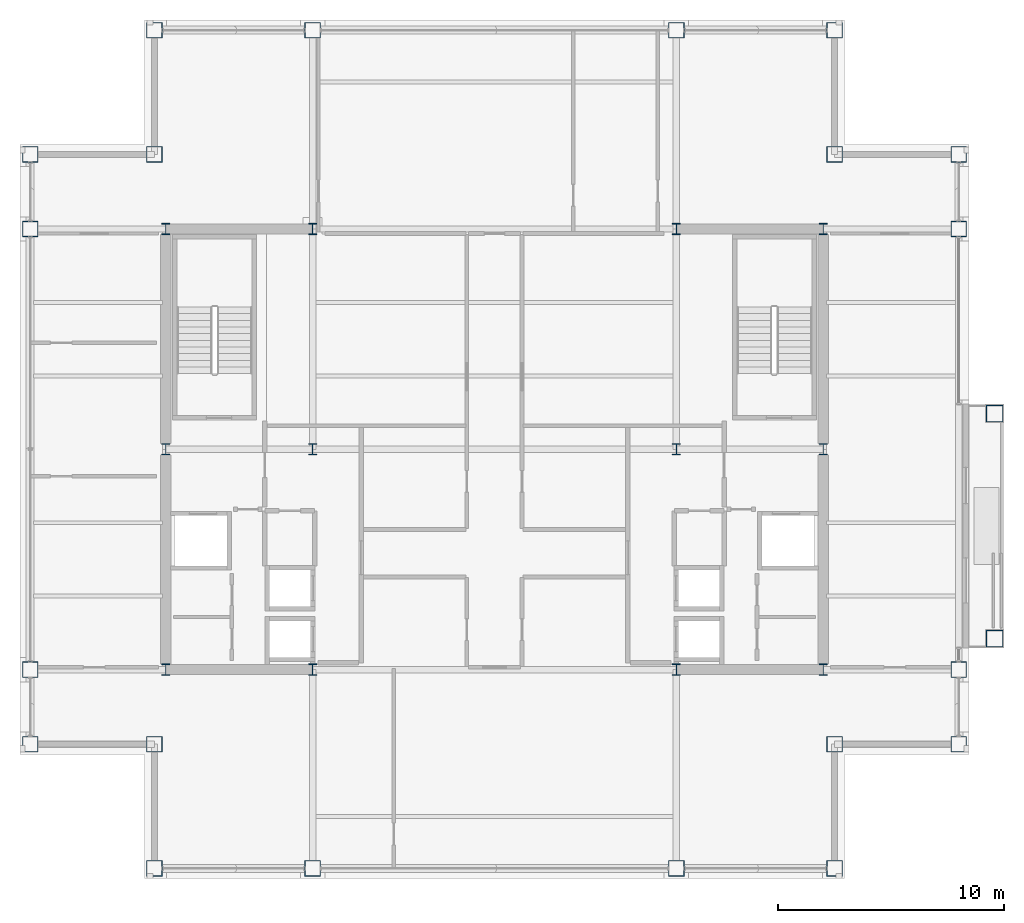
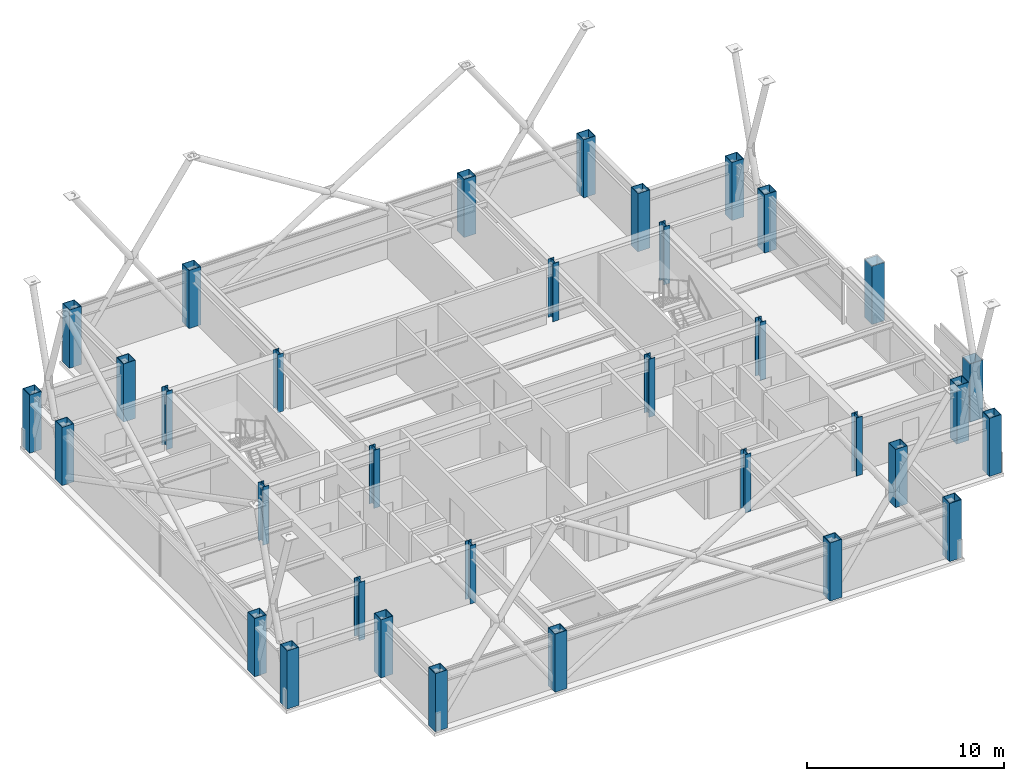
# One storey, part 1 of 33: 34 columns.
"""IFC4 building model written with IfcOpenShell, lengths in metres."""

from ifc_helpers import new_model, si_unit, direction, frame, origin, origin_2d, place, context, subcontext, project, spatial, hollow_rectangle, i_section, extrude, material, material_profile, profile_set, type_object, element, save


model = new_model("IFC4")

# Units and contexts
model_context = context("Model", 3, precision=1e-05, world=origin(), true_north=direction((0.0, 1.0)))
body_context = subcontext(model_context, "Body", "Model", "MODEL_VIEW")
ifc_project = project(units=[si_unit("LENGTHUNIT", "METRE"), si_unit("AREAUNIT", "SQUARE_METRE"), si_unit("VOLUMEUNIT", "CUBIC_METRE"), si_unit("PLANEANGLEUNIT", "RADIAN"), si_unit("MASSUNIT", "GRAM", prefix="KILO")], contexts=[model_context])

# Site, building, storey
site_placement = place(None, origin())
site = spatial("IfcSite", under=ifc_project, at=site_placement, CompositionType="ELEMENT")
building_placement = place(site_placement, origin())
building = spatial("IfcBuilding", under=site, at=building_placement, Name="Brelmoor Portico Tower", CompositionType="ELEMENT")
storey_placement = place(building_placement, frame((0.0, 0.0, 194.699951171875)))
storey = spatial("IfcBuildingStorey", under=building, at=storey_placement, Name="L51", CompositionType="ELEMENT", Elevation=194.699951171875)

# Columns
ifc_material = material(Name="Steel Q355B", Category="steel")
ifc_material_profile_1 = material_profile(ifc_material, hollow_rectangle(XDim=0.699951171875, YDim=0.699951171875, WallThickness=0.030029296875, at=origin_2d()), Name="BOX 700x700x30")
ifc_profile_set_1 = profile_set([ifc_material_profile_1], Name="Steel Q355B")
column_type_1 = type_object("IfcColumnType", Name="COL-MEGA-700", PredefinedType="COLUMN", material=ifc_profile_set_1)
for number, where, z_axis, x_axis, name in (
    (1, (-15.050048828125, -18.550048828125, 0.0), (0.0, 0.0, 1.0), (1.0, 0.0, 0.0), "L51 Perimeter Mega-Column PS01"),
    (2, (-8.050048828125, -18.550048828125, 0.0), (0.0, 0.0, 1.0), (1.0, 0.0, 0.0), "L51 Perimeter Mega-Column PS02"),
    (3, (8.050048828125, -18.550048828125, 0.0), (0.0, 0.0, 1.0), (1.0, 0.0, 0.0), "L51 Perimeter Mega-Column PS03"),
    (4, (15.050048828125, -18.550048828125, 0.0), (0.0, 0.0, 1.0), (1.0, 0.0, 0.0), "L51 Perimeter Mega-Column PS04"),
    (5, (-15.050048828125, 18.550048828125, 0.0), (0.0, 0.0, 1.0), (1.0, 0.0, 0.0), "L51 Perimeter Mega-Column PN01"),
    (6, (-8.050048828125, 18.550048828125, 0.0), (0.0, 0.0, 1.0), (1.0, 0.0, 0.0), "L51 Perimeter Mega-Column PN02"),
    (7, (8.050048828125, 18.550048828125, 0.0), (0.0, 0.0, 1.0), (1.0, 0.0, 0.0), "L51 Perimeter Mega-Column PN03"),
    (8, (15.050048828125, 18.550048828125, 0.0), (0.0, 0.0, 1.0), (1.0, 0.0, 0.0), "L51 Perimeter Mega-Column PN04"),
    (9, (-20.550048828125, -13.050048828125, 0.0), (0.0, 0.0, 1.0), (0.0, 1.0, 0.0), "L51 Perimeter Mega-Column PW01"),
    (10, (-20.550048828125, -9.75, 0.0), (0.0, 0.0, 1.0), (0.0, 1.0, 0.0), "L51 Perimeter Mega-Column PW02"),
    (11, (-20.550048828125, 9.75, 0.0), (0.0, 0.0, 1.0), (0.0, 1.0, 0.0), "L51 Perimeter Mega-Column PW03"),
    (12, (-20.550048828125, 13.050048828125, 0.0), (0.0, 0.0, 1.0), (0.0, 1.0, 0.0), "L51 Perimeter Mega-Column PW04"),
    (13, (20.550048828125, -13.050048828125, 0.0), (0.0, 0.0, 1.0), (0.0, 1.0, 0.0), "L51 Perimeter Mega-Column PE01"),
    (14, (20.550048828125, -9.75, 0.0), (0.0, 0.0, 1.0), (0.0, 1.0, 0.0), "L51 Perimeter Mega-Column PE02"),
    (15, (20.550048828125, 9.75, 0.0), (0.0, 0.0, 1.0), (0.0, 1.0, 0.0), "L51 Perimeter Mega-Column PE03"),
    (16, (20.550048828125, 13.050048828125, 0.0), (0.0, 0.0, 1.0), (0.0, 1.0, 0.0), "L51 Perimeter Mega-Column PE04"),
    (17, (-15.050048828125, 13.050048828125, 0.0), (0.0, 0.0, 1.0), (1.0, 0.0, 0.0), "L51 Perimeter Mega-Column PC-NW"),
    (18, (15.050048828125, 13.050048828125, 0.0), (0.0, 0.0, 1.0), (1.0, 0.0, 0.0), "L51 Perimeter Mega-Column PC-NE"),
    (19, (15.050048828125, -13.050048828125, 0.0), (0.0, 0.0, 1.0), (1.0, 0.0, 0.0), "L51 Perimeter Mega-Column PC-SE"),
    (20, (-15.050048828125, -13.050048828125, 0.0), (0.0, 0.0, 1.0), (1.0, 0.0, 0.0), "L51 Perimeter Mega-Column PC-SW"),
):
    element("IfcColumn", number, at=place(storey_placement, frame(where, z_axis=z_axis, x_axis=x_axis)), inside=storey, type_object=column_type_1, Name=name, PredefinedType="COLUMN", context=body_context, shape_type="SweptSolid", body=[
        extrude(hollow_rectangle(XDim=0.699951171875, YDim=0.699951171875, WallThickness=0.030029296875, at=origin_2d()), origin(), (0.0, 0.0, 1.0), 3.60009765625),
    ])
ifc_material_profile_2 = material_profile(ifc_material, hollow_rectangle(XDim=0.75, YDim=0.75, WallThickness=0.031982421875, at=origin_2d()), Name="BOX 750x750x32")
ifc_profile_set_2 = profile_set([ifc_material_profile_2], Name="Steel Q355B")
column_type_2 = type_object("IfcColumnType", Name="COL-MEGA-750", PredefinedType="COLUMN", material=ifc_profile_set_2)
for number, where, z_axis, x_axis, name in (
    (21, (22.1298828125, -8.3798828125, 0.0), (0.0, 0.0, 1.0), (0.0, 1.0, 0.0), "L51 Proud Picture-Frame Pier PFJ-E1"),
    (22, (22.1298828125, 1.580078125, 0.0), (0.0, 0.0, 1.0), (0.0, 1.0, 0.0), "L51 Proud Picture-Frame Pier PFJ-E2"),
):
    element("IfcColumn", number, at=place(storey_placement, frame(where, z_axis=z_axis, x_axis=x_axis)), inside=storey, type_object=column_type_2, Name=name, PredefinedType="COLUMN", context=body_context, shape_type="SweptSolid", body=[
        extrude(hollow_rectangle(XDim=0.75, YDim=0.75, WallThickness=0.031982421875, at=origin_2d()), origin(), (0.0, 0.0, 1.0), 3.60009765625),
    ])
ifc_material_profile_3 = material_profile(ifc_material, i_section(OverallWidth=0.35009765625, OverallDepth=0.5, WebThickness=0.02001953125, FlangeThickness=0.031982421875, at=origin_2d()), Name="HW 500x350x20x32")
ifc_profile_set_3 = profile_set([ifc_material_profile_3], Name="Steel Q355B")
column_type_3 = type_object("IfcColumnType", Name="COL-SPINE-500", PredefinedType="COLUMN", material=ifc_profile_set_3)
for number, where, z_axis, x_axis, name in (
    (23, (-14.550048828125, -9.75, 0.0), (0.0, 0.0, 1.0), (1.0, 0.0, 0.0), "L51 Core Spine Column CW-SW"),
    (24, (-14.550048828125, 0.0, 0.0), (0.0, 0.0, 1.0), (1.0, 0.0, 0.0), "L51 Core Spine Column CW-MW"),
    (25, (-14.550048828125, 9.75, 0.0), (0.0, 0.0, 1.0), (1.0, 0.0, 0.0), "L51 Core Spine Column CW-NW"),
    (26, (-8.050048828125, -9.75, 0.0), (0.0, 0.0, 1.0), (1.0, 0.0, 0.0), "L51 Core Spine Column CW-SE"),
    (27, (-8.050048828125, 0.0, 0.0), (0.0, 0.0, 1.0), (1.0, 0.0, 0.0), "L51 Core Spine Column CW-ME"),
    (28, (-8.050048828125, 9.75, 0.0), (0.0, 0.0, 1.0), (1.0, 0.0, 0.0), "L51 Core Spine Column CW-NE"),
    (29, (8.050048828125, -9.75, 0.0), (0.0, 0.0, 1.0), (1.0, 0.0, 0.0), "L51 Core Spine Column CE-SW"),
    (30, (8.050048828125, 0.0, 0.0), (0.0, 0.0, 1.0), (1.0, 0.0, 0.0), "L51 Core Spine Column CE-MW"),
    (31, (8.050048828125, 9.75, 0.0), (0.0, 0.0, 1.0), (1.0, 0.0, 0.0), "L51 Core Spine Column CE-NW"),
    (32, (14.550048828125, -9.75, 0.0), (0.0, 0.0, 1.0), (1.0, 0.0, 0.0), "L51 Core Spine Column CE-SE"),
    (33, (14.550048828125, 0.0, 0.0), (0.0, 0.0, 1.0), (1.0, 0.0, 0.0), "L51 Core Spine Column CE-ME"),
    (34, (14.550048828125, 9.75, 0.0), (0.0, 0.0, 1.0), (1.0, 0.0, 0.0), "L51 Core Spine Column CE-NE"),
):
    element("IfcColumn", number, at=place(storey_placement, frame(where, z_axis=z_axis, x_axis=x_axis)), inside=storey, type_object=column_type_3, Name=name, PredefinedType="COLUMN", context=body_context, shape_type="SweptSolid", body=[
        extrude(i_section(OverallWidth=0.35009765625, OverallDepth=0.5, WebThickness=0.02001953125, FlangeThickness=0.031982421875, at=origin_2d()), origin(), (0.0, 0.0, 1.0), 3.60009765625),
    ])

save(model, "model.ifc")
